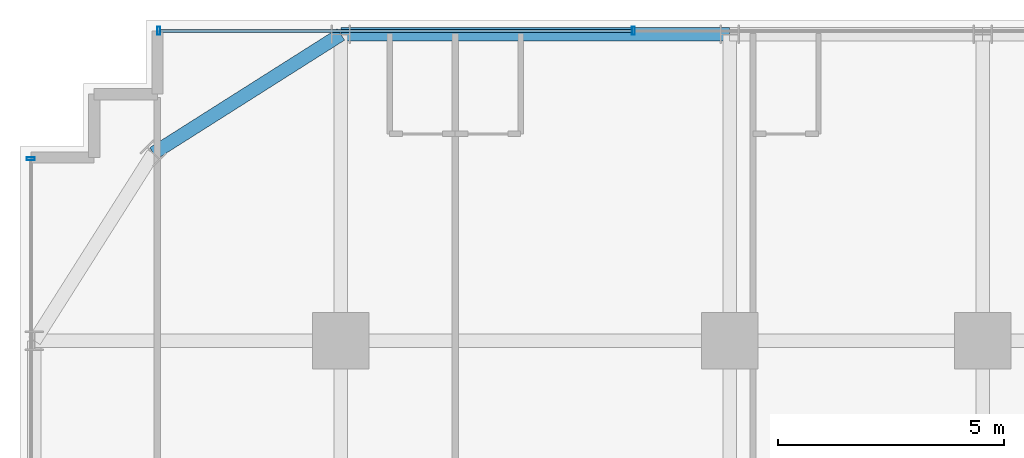
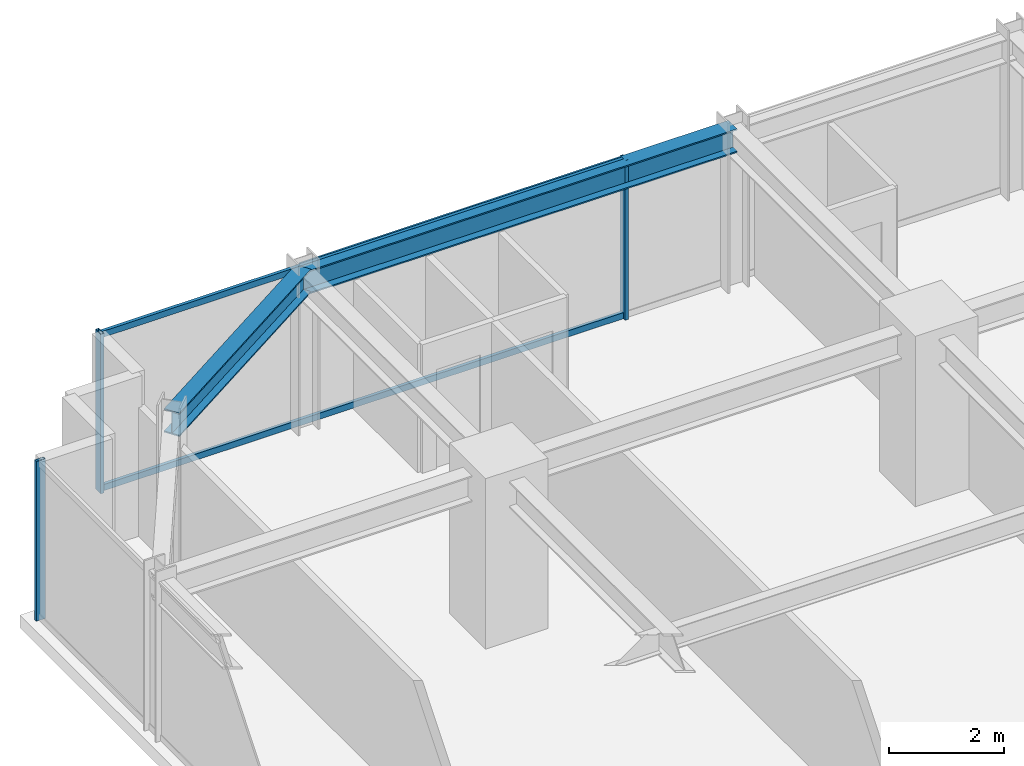
# One storey, part 19 of 33: 5 members, 2 beams, 2 elements without a shape of their own.
"""IFC4 building model written with IfcOpenShell, lengths in metres."""

from ifc_helpers import new_model, si_unit, direction, frame, origin, origin_2d, place, context, subcontext, project, spatial, hollow_rectangle, i_section, extrude, source, transform, mapped, material, material_profile, profile_set, type_object, element, aggregate, save


model = new_model("IFC4")

# Units and contexts
model_context = context("Model", 3, precision=1e-05, world=origin(), true_north=direction((0.0, 1.0)))
body_context = subcontext(model_context, "Body", "Model", "MODEL_VIEW")
ifc_project = project(units=[si_unit("LENGTHUNIT", "METRE"), si_unit("AREAUNIT", "SQUARE_METRE"), si_unit("VOLUMEUNIT", "CUBIC_METRE"), si_unit("PLANEANGLEUNIT", "RADIAN"), si_unit("MASSUNIT", "GRAM", prefix="KILO")], contexts=[model_context])

# Site, building, storey
site_placement = place(None, origin())
site = spatial("IfcSite", under=ifc_project, at=site_placement, CompositionType="ELEMENT")
building_placement = place(site_placement, origin())
building = spatial("IfcBuilding", under=site, at=building_placement, Name="Nahalor Promenade Grand Hotel", CompositionType="ELEMENT")
storey_placement = place(building_placement, frame((0.0, 0.0, 117.5)))
storey = spatial("IfcBuildingStorey", under=building, at=storey_placement, Name="L29", CompositionType="ELEMENT", Elevation=117.5)

# Beams
ifc_material_1 = material(Name="Steel S355JR", Category="steel")
ifc_material_profile_1 = material_profile(ifc_material_1, i_section(OverallWidth=0.3, OverallDepth=0.5, WebThickness=0.0145, FlangeThickness=0.028, at=origin_2d()), Name="HEB 500")
ifc_profile_set_1 = profile_set([ifc_material_profile_1], Name="Steel S355JR")
beam_type = type_object("IfcBeamType", Name="Beam-Spandrel-HEB500", PredefinedType="SPANDREL", material=ifc_profile_set_1)
shared_shape_1 = source(origin(), body_context, "Body", "SweptSolid", [
    extrude(i_section(OverallWidth=0.3, OverallDepth=0.5, WebThickness=0.0145, FlangeThickness=0.028, at=origin_2d()), origin(), (0.0, 0.0, 1.0), 8.60009765625),
])
beam_1_placement = place(storey_placement, frame((-17.0, 23.780029296875, 3.1298828125), z_axis=(1.0, 0.0, 0.0), x_axis=(0.0, 1.0, 0.0)))
element("IfcBeam", 1, at=beam_1_placement, inside=storey, type_object=beam_type, Name="BM-L29-SP-N-0", PredefinedType="SPANDREL", context=body_context, shape_type="MappedRepresentation", body=[
    mapped(shared_shape_1, transform((0.0, 0.0, 0.0), scale=1.0)),
])
shared_shape_2 = source(origin(), body_context, "Body", "SweptSolid", [
    extrude(i_section(OverallWidth=0.3, OverallDepth=0.5, WebThickness=0.0145, FlangeThickness=0.028, at=origin_2d()), origin(), (0.0, 0.0, 1.0), 4.9130859375),
])
beam_2_placement = place(storey_placement, frame((-17.0, 23.780029296875, 3.1298828125), z_axis=(-0.844648325505, -0.535321591403, 0.0), x_axis=(0.535321591403, -0.844648325505, 0.0)))
element("IfcBeam", 2, at=beam_2_placement, inside=storey, type_object=beam_type, Name="BM-L29-SPC-NW-1", PredefinedType="SPANDREL", context=body_context, shape_type="MappedRepresentation", body=[
    mapped(shared_shape_2, transform((0.0, 0.0, 0.0), scale=1.0)),
])

# Curtain wall, members
ifc_material_2 = material(Name="Anodised Bronze Aluminium EN AW-6063 T6", Category="aluminium")
curtain_wall_type = type_object("IfcCurtainWallType", Name="CW2 Typical Hotel Flush Bronze Unitised Curtain Wall", PredefinedType="USERDEFINED", material=ifc_material_2)
curtain_wall_1_placement = place(storey_placement, origin())
curtain_wall_1 = element("IfcCurtainWall", 3, at=curtain_wall_1_placement, inside=storey, type_object=curtain_wall_type, Name="L29 Curtain Wall CW-L29-N-1", ObjectType="UNITISED_CURTAIN_WALL", PredefinedType="USERDEFINED")
ifc_material_profile_2 = material_profile(ifc_material_2, hollow_rectangle(XDim=0.065, YDim=0.18, WallThickness=0.004, at=origin_2d()), Name="CWM 65x180x4")
ifc_profile_set_2 = profile_set([ifc_material_profile_2], Name="Anodised Bronze Aluminium EN AW-6063 T6")
member_type_1 = type_object("IfcMemberType", Name="CWM2 Typical Bronze Mullion 65x180", PredefinedType="MULLION", material=ifc_profile_set_2)
shared_shape_3 = source(origin(), body_context, "Body", "SweptSolid", [
    extrude(hollow_rectangle(XDim=0.065, YDim=0.18, WallThickness=0.004, at=origin_2d()), origin(), (0.0, 0.0, 1.0), 3.3798828125),
])
member_1_placement = place(storey_placement, frame((-21.027587890625, 23.860107421875, 0.0), z_axis=(0.0, 0.0, 1.0), x_axis=(1.0, 0.0, 0.0)))
member_1 = element("IfcMember", 4, at=member_1_placement, type_object=member_type_1, Name="CW-L29-N-1 Mullion 0", PredefinedType="MULLION", context=body_context, shape_type="MappedRepresentation", body=[
    mapped(shared_shape_3, transform((0.0, 0.0, 0.0), scale=1.0)),
])
member_2_placement = place(storey_placement, frame((-10.530029296875, 23.860107421875, 0.0), z_axis=(0.0, 0.0, 1.0), x_axis=(1.0, 0.0, 0.0)))
member_2 = element("IfcMember", 5, at=member_2_placement, type_object=member_type_1, Name="CW-L29-N-1 Mullion 1", PredefinedType="MULLION", context=body_context, shape_type="MappedRepresentation", body=[
    mapped(shared_shape_3, transform((0.0, 0.0, 0.0), scale=1.0)),
])

# Curtain wall, member
curtain_wall_2_placement = place(storey_placement, origin())
curtain_wall_2 = element("IfcCurtainWall", 6, at=curtain_wall_2_placement, inside=storey, type_object=curtain_wall_type, Name="L29 Curtain Wall CW-L29-W-1", ObjectType="UNITISED_CURTAIN_WALL", PredefinedType="USERDEFINED")
member_3_placement = place(storey_placement, frame((-23.860107421875, 21.027587890625, 0.0), z_axis=(0.0, 0.0, 1.0), x_axis=(0.0, 1.0, 0.0)))
member_3 = element("IfcMember", 7, at=member_3_placement, type_object=member_type_1, Name="CW-L29-W-1 Mullion 4", PredefinedType="MULLION", context=body_context, shape_type="MappedRepresentation", body=[
    mapped(shared_shape_3, transform((0.0, 0.0, 0.0), scale=1.0)),
])
aggregate(curtain_wall_2, [member_3])

# Member
ifc_material_profile_3 = material_profile(ifc_material_2, hollow_rectangle(XDim=0.065, YDim=0.13, WallThickness=0.004, at=origin_2d()), Name="CWT 65x130x4")
ifc_profile_set_3 = profile_set([ifc_material_profile_3], Name="Anodised Bronze Aluminium EN AW-6063 T6")
member_type_2 = type_object("IfcMemberType", Name="CWT2 Typical Bronze Transom 65x130", PredefinedType="USERDEFINED", material=ifc_profile_set_3)
shared_shape_4 = source(origin(), body_context, "Body", "SweptSolid", [
    extrude(hollow_rectangle(XDim=0.065, YDim=0.13, WallThickness=0.004, at=origin_2d()), origin(), (0.0, 0.0, 1.0), 10.4326171875),
])
member_4_placement = place(storey_placement, frame((-20.9951171875, 23.860107421875, 0.06494140625), z_axis=(1.0, 0.0, 0.0), x_axis=(0.0, 1.0, 0.0)))
member_4 = element("IfcMember", 8, at=member_4_placement, type_object=member_type_2, Name="CW-L29-N-1 Transom 0-0", ObjectType="TRANSOM", PredefinedType="USERDEFINED", context=body_context, shape_type="MappedRepresentation", body=[
    mapped(shared_shape_4, transform((0.0, 0.0, 0.0), scale=1.0)),
])

member_5_placement = place(storey_placement, frame((-20.9951171875, 23.860107421875, 3.31494140625), z_axis=(1.0, 0.0, 0.0), x_axis=(0.0, 1.0, 0.0)))
member_5 = element("IfcMember", 9, at=member_5_placement, type_object=member_type_2, Name="CW-L29-N-1 Transom 0-1", ObjectType="TRANSOM", PredefinedType="USERDEFINED", context=body_context, shape_type="MappedRepresentation", body=[
    mapped(shared_shape_4, transform((0.0, 0.0, 0.0), scale=1.0)),
])

aggregate(curtain_wall_1, [member_1, member_2, member_4, member_5])

save(model, "model.ifc")
